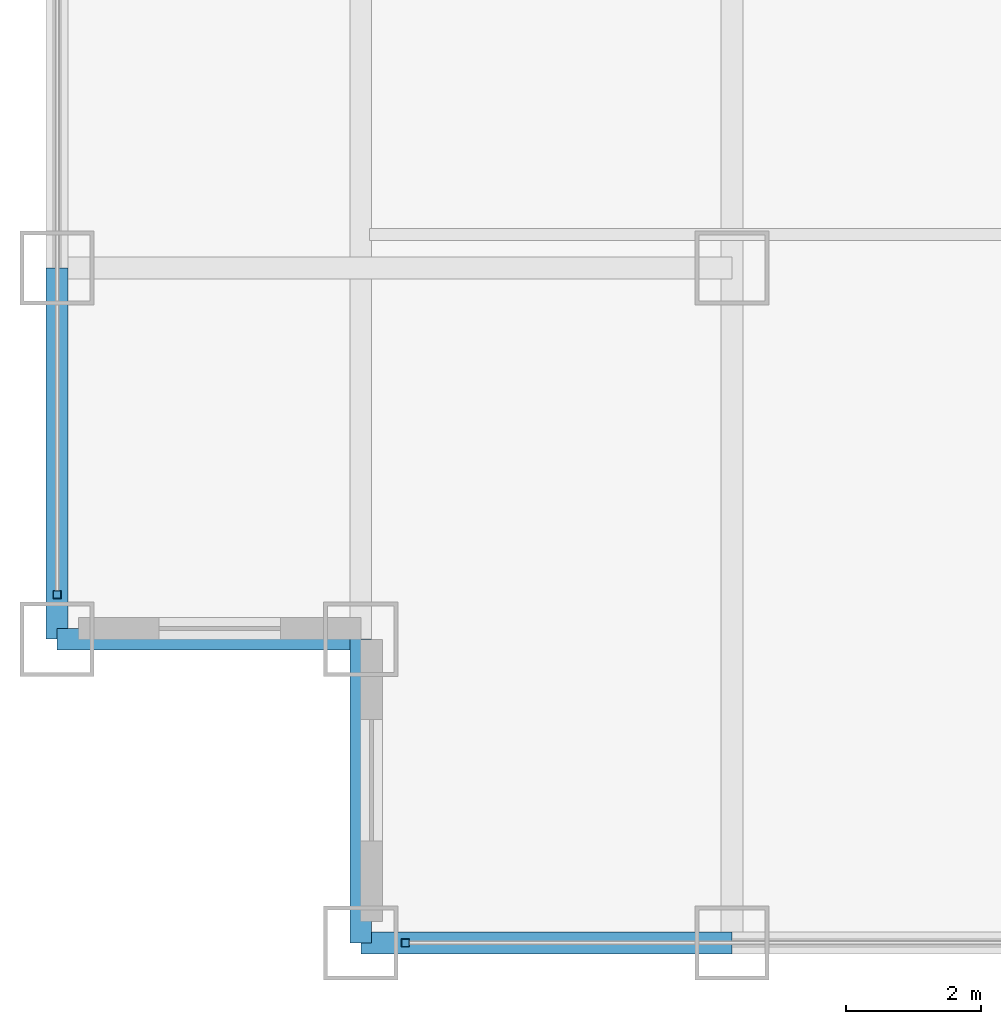
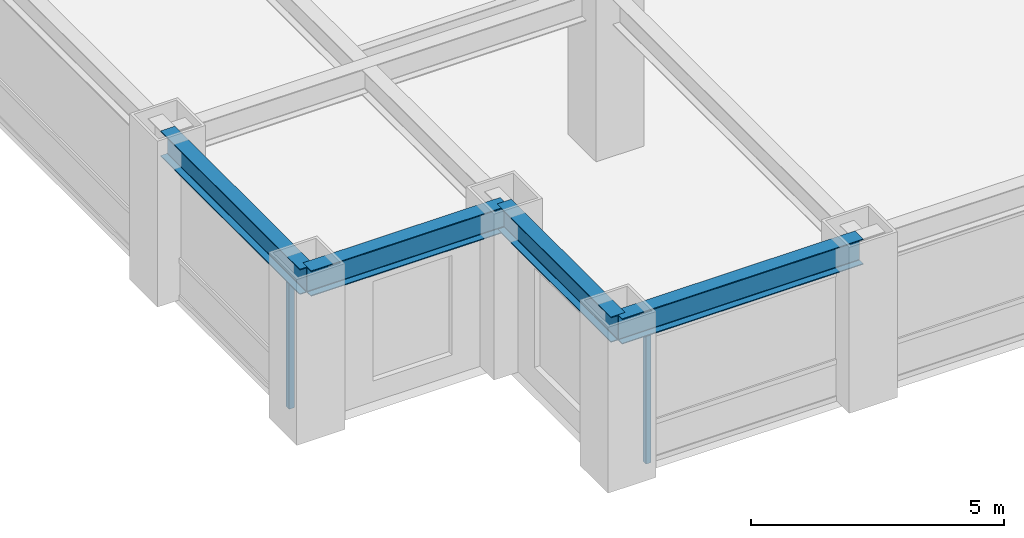
# One storey, part 2 of 24: 4 beams, 2 members, 2 elements without a shape of their own.
"""IFC4 building model written with IfcOpenShell, lengths in metres."""

from ifc_helpers import new_model, si_unit, direction, frame, origin, origin_2d, place, context, subcontext, project, spatial, hollow_rectangle, i_section, extrude, source, transform, mapped, material, material_profile, profile_set, type_object, element, aggregate, save


model = new_model("IFC4")

# Units and contexts
model_context = context("Model", 3, precision=1e-05, world=origin(), true_north=direction((0.0, 1.0)))
body_context = subcontext(model_context, "Body", "Model", "MODEL_VIEW")
ifc_project = project(units=[si_unit("LENGTHUNIT", "METRE"), si_unit("AREAUNIT", "SQUARE_METRE"), si_unit("VOLUMEUNIT", "CUBIC_METRE"), si_unit("PLANEANGLEUNIT", "RADIAN"), si_unit("MASSUNIT", "GRAM", prefix="KILO")], contexts=[model_context])

# Site, building, storey
site_placement = place(None, origin())
site = spatial("IfcSite", under=ifc_project, at=site_placement, CompositionType="ELEMENT")
building_placement = place(site_placement, origin())
building = spatial("IfcBuilding", under=site, at=building_placement, Name="Khorayat Bourse Tower", CompositionType="ELEMENT")
storey_placement = place(building_placement, frame((0.0, 0.0, 163.10009765625)))
storey = spatial("IfcBuildingStorey", under=building, at=storey_placement, Name="L37", CompositionType="ELEMENT", Elevation=163.10009765625)

# Beams
ifc_material_1 = material(Name="Steel ASTM A992 Grade 50", Category="steel")
ifc_material_profile_1 = material_profile(ifc_material_1, i_section(OverallWidth=0.324951171875, OverallDepth=0.615966796875, WebThickness=0.013916015625, FlangeThickness=0.021484375, FilletRadius=0.01611328125, at=origin_2d()), Name="W610X174")
ifc_profile_set_1 = profile_set([ifc_material_profile_1], Name="Steel ASTM A992 Grade 50")
beam_type = type_object("IfcBeamType", Name="BM-SPAN-610", PredefinedType="SPANDREL", material=ifc_profile_set_1)
shared_shape_1 = source(origin(), body_context, "Body", "SweptSolid", [
    extrude(i_section(OverallWidth=0.324951171875, OverallDepth=0.615966796875, WebThickness=0.013916015625, FlangeThickness=0.021484375, FilletRadius=0.01611328125, at=origin_2d()), origin(), (0.0, 0.0, 1.0), 5.5),
])
for number, where, z_axis, x_axis, name in (
    (1, (-25.5, -30.0, 3.471923828125), (1.0, 0.0, 0.0), (0.0, 1.0, 0.0), "L37 BM-SPAN-610 BM-L37-SPN-024"),
    (2, (-30.0, -25.5, 3.471923828125), (0.0, 1.0, 0.0), (-1.0, 0.0, 0.0), "L37 BM-SPAN-610 BM-L37-SPN-061"),
):
    element("IfcBeam", number, at=place(storey_placement, frame(where, z_axis=z_axis, x_axis=x_axis)), inside=storey, type_object=beam_type, Name=name, PredefinedType="SPANDREL", context=body_context, shape_type="MappedRepresentation", body=[
        mapped(shared_shape_1, transform((0.0, 0.0, 0.0), scale=1.0)),
    ])
shared_shape_2 = source(origin(), body_context, "Body", "SweptSolid", [
    extrude(i_section(OverallWidth=0.324951171875, OverallDepth=0.615966796875, WebThickness=0.013916015625, FlangeThickness=0.021484375, FilletRadius=0.01611328125, at=origin_2d()), origin(), (0.0, 0.0, 1.0), 4.5),
])
for number, where, z_axis, x_axis, name in (
    (3, (-30.0, -25.5, 3.471923828125), (1.0, 0.0, 0.0), (0.0, 1.0, 0.0), "L37 BM-SPAN-610 BM-L37-SPN-062"),
    (4, (-25.5, -30.0, 3.471923828125), (0.0, 1.0, 0.0), (-1.0, 0.0, 0.0), "L37 BM-SPAN-610 BM-L37-SPN-063"),
):
    element("IfcBeam", number, at=place(storey_placement, frame(where, z_axis=z_axis, x_axis=x_axis)), inside=storey, type_object=beam_type, Name=name, PredefinedType="SPANDREL", context=body_context, shape_type="MappedRepresentation", body=[
        mapped(shared_shape_2, transform((0.0, 0.0, 0.0), scale=1.0)),
    ])

# Curtain wall, member
ifc_material_2 = material(Name="Aluminium EN AW-6063 T6", Category="aluminium")
curtain_wall_type = type_object("IfcCurtainWallType", Name="CW-SYS-03", PredefinedType="NOTDEFINED", material=ifc_material_2)
curtain_wall_1_placement = place(storey_placement, origin())
curtain_wall_1 = element("IfcCurtainWall", 5, at=curtain_wall_1_placement, inside=storey, type_object=curtain_wall_type, Name="L37 Curtain Wall CW-L37-S1", PredefinedType="NOTDEFINED")
ifc_material_profile_2 = material_profile(ifc_material_2, hollow_rectangle(XDim=0.1201171875, YDim=0.1201171875, WallThickness=0.0048828125, at=origin_2d()), Name="ALU 120x120x5")
ifc_profile_set_2 = profile_set([ifc_material_profile_2], Name="Aluminium EN AW-6063 T6")
member_type = type_object("IfcMemberType", Name="CWM-VERT-120", PredefinedType="MULLION", material=ifc_profile_set_2)
shared_shape_3 = source(origin(), body_context, "Body", "SweptSolid", [
    extrude(hollow_rectangle(XDim=0.1201171875, YDim=0.1201171875, WallThickness=0.0048828125, at=origin_2d()), origin(), (0.0, 0.0, 1.0), 3.1298828125),
])
member_1_placement = place(storey_placement, frame((-24.840087890625, -30.0, 0.0), z_axis=(0.0, 0.0, 1.0), x_axis=(0.0, 1.0, 0.0)))
member_1 = element("IfcMember", 6, at=member_1_placement, type_object=member_type, Name="CW-L37-S1 Vertical Mullion 1", PredefinedType="MULLION", context=body_context, shape_type="MappedRepresentation", body=[
    mapped(shared_shape_3, transform((0.0, 0.0, 0.0), scale=1.0)),
])
aggregate(curtain_wall_1, [member_1])

curtain_wall_2_placement = place(storey_placement, origin())
curtain_wall_2 = element("IfcCurtainWall", 7, at=curtain_wall_2_placement, inside=storey, type_object=curtain_wall_type, Name="L37 Curtain Wall CW-L37-W1", PredefinedType="NOTDEFINED")
member_2_placement = place(storey_placement, frame((-30.0, -24.840087890625, 0.0), z_axis=(0.0, 0.0, 1.0), x_axis=(-1.0, 0.0, 0.0)))
member_2 = element("IfcMember", 8, at=member_2_placement, type_object=member_type, Name="CW-L37-W1 Vertical Mullion 1", PredefinedType="MULLION", context=body_context, shape_type="MappedRepresentation", body=[
    mapped(shared_shape_3, transform((0.0, 0.0, 0.0), scale=1.0)),
])
aggregate(curtain_wall_2, [member_2])

save(model, "model.ifc")
